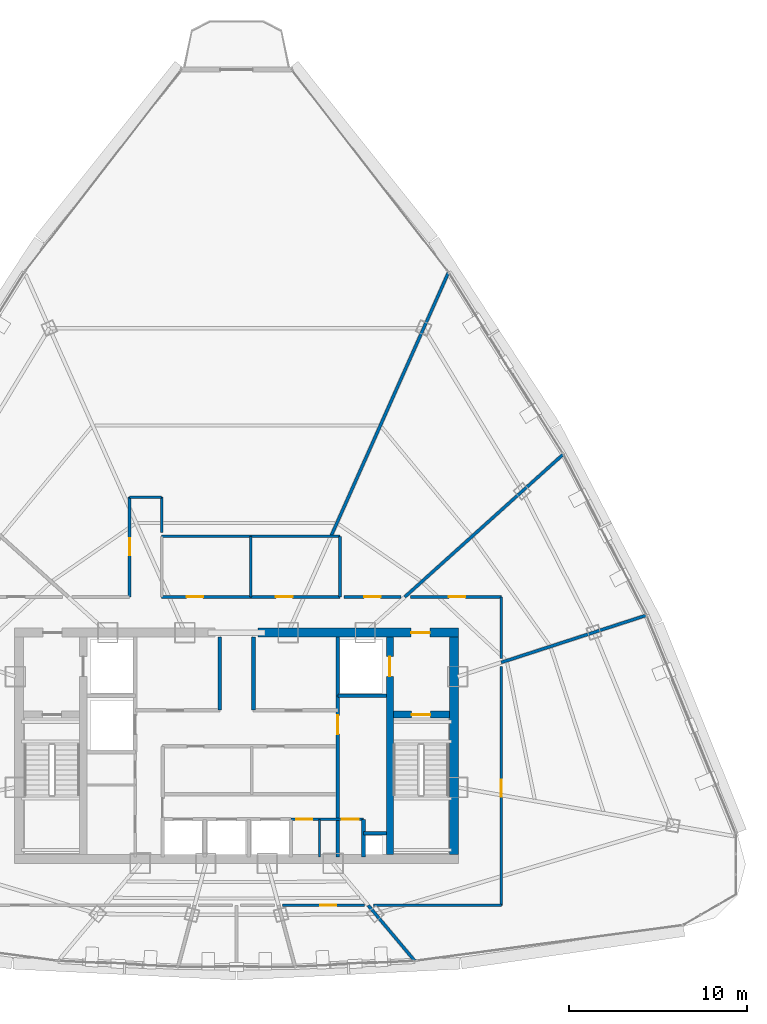
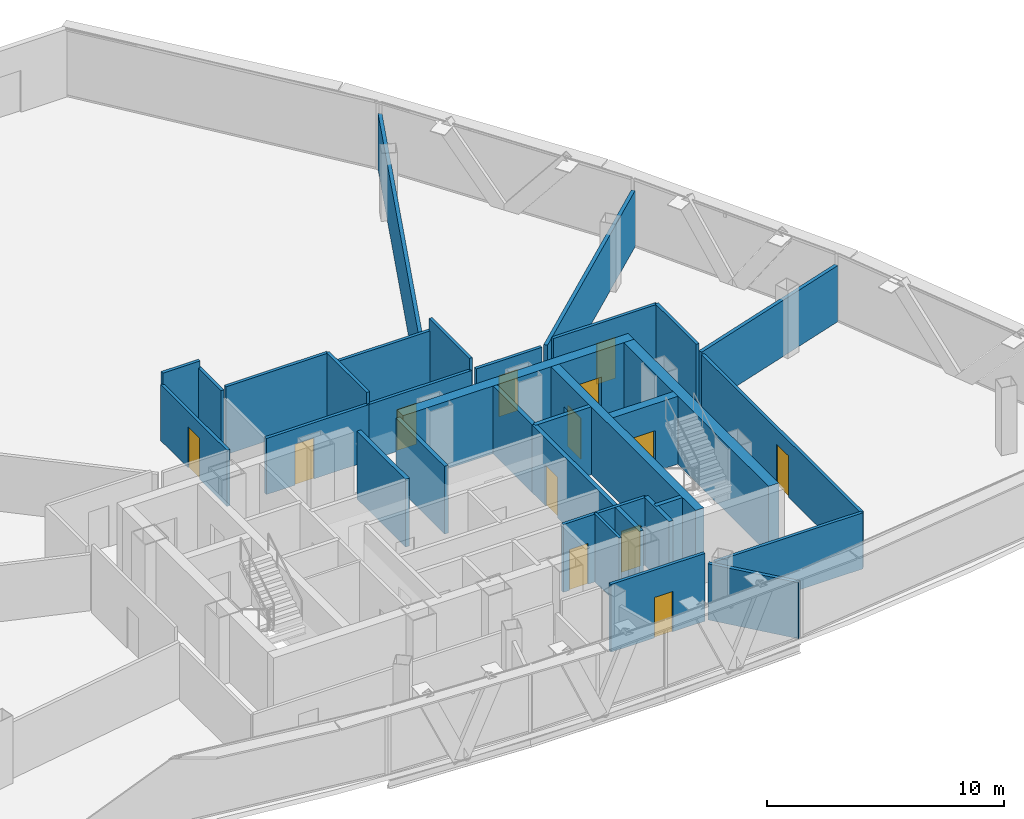
# One storey, part 23 of 27: 32 walls, 13 doors, 13 openings.
"""IFC4 building model written with IfcOpenShell, lengths in metres."""

from ifc_helpers import new_model, si_unit, direction, frame, frame_2d, origin, origin_with_axes, place, context, subcontext, project, spatial, rectangle, extrude, source, transform, mapped, material, layer, layer_set, type_object, element, fill, save


model = new_model("IFC4")

# Units and contexts
model_context = context("Model", 3, precision=1e-05, world=origin(), true_north=direction((0.0, 1.0)))
body_context = subcontext(model_context, "Body", "Model", "MODEL_VIEW")
ifc_project = project(units=[si_unit("LENGTHUNIT", "METRE"), si_unit("AREAUNIT", "SQUARE_METRE"), si_unit("VOLUMEUNIT", "CUBIC_METRE"), si_unit("PLANEANGLEUNIT", "RADIAN"), si_unit("MASSUNIT", "GRAM", prefix="KILO"), si_unit("THERMODYNAMICTEMPERATUREUNIT", "KELVIN"), si_unit("POWERUNIT", "WATT")], contexts=[model_context])

# Site, building, storey
site_placement = place(None, origin())
site = spatial("IfcSite", under=ifc_project, at=site_placement, CompositionType="ELEMENT")
building_placement = place(site_placement, origin())
building = spatial("IfcBuilding", under=site, at=building_placement, Name="Yunzhuo Pagoda Commons", CompositionType="ELEMENT")
storey_placement = place(building_placement, frame((0.0, 0.0, 344.260009765625)))
storey = spatial("IfcBuildingStorey", under=building, at=storey_placement, Name="L86", CompositionType="ELEMENT", Elevation=344.260009765625)

# Wall, opening, door
ifc_material_1 = material(Name="Concrete C50", Category="concrete")
ifc_layer_1 = layer(ifc_material_1, 0.5)
ifc_layer_set_1 = layer_set([ifc_layer_1], Name="Concrete C50")
wall_type_1 = type_object("IfcWallType", Name="W-C03 Upper Core Shear Wall 500", PredefinedType="SHEAR", material=ifc_layer_set_1)
wall_1_placement = place(storey_placement, frame((49.199951171875, 40.199951171875, 0.0), z_axis=(0.0, 0.0, 1.0), x_axis=(1.0, 0.0, 0.0)))
wall_1 = element("IfcWall", 1, at=wall_1_placement, inside=storey, type_object=wall_type_1, Name="L86 core shear wall NE", PredefinedType="SHEAR", context=body_context, shape_type="SweptSolid", body=[
    extrude(rectangle(XDim=11.25, YDim=0.5, at=frame_2d((5.625, 0.0))), origin(), (0.0, 0.0, 1.0), 3.489990234375),
])
opening_1_placement = place(wall_1_placement, frame((8.60009765625, 0.0, 0.0)))
opening_1 = element("IfcOpeningElement", 2, at=opening_1_placement, cuts=wall_1, Name="Opening D-02", PredefinedType="OPENING", context=body_context, shape_type="SweptSolid", body=[
    extrude(rectangle(XDim=1.050048828125, YDim=2.10009765625, at=frame_2d((0.52490234375, 1.050048828125))), frame((0.0, 0.260009765625, 0.0), z_axis=(0.0, -1.0, 0.0), x_axis=(1.0, 0.0, 0.0)), (0.0, 0.0, 1.0), 0.52001953125),
])
ifc_material_2 = material(Name="Galvanized fire-resisting metal leaf")
door_type_1 = type_object("IfcDoorType", Name="D-02 Firefighting Lobby & Refuge Fire Door 1050x2100", OperationType="NOTDEFINED", PredefinedType="DOOR", material=ifc_material_2)
shared_shape_1 = source(origin(), body_context, "Body", "SweptSolid", [
    extrude(rectangle(XDim=1.050048828125, YDim=2.10009765625, at=frame_2d((0.52490234375, 1.050048828125))), frame((0.0, 0.02490234375, 0.0), z_axis=(0.0, -1.0, 0.0), x_axis=(1.0, 0.0, 0.0)), (0.0, 0.0, 1.0), 0.050048828125),
])
door_1_placement = place(opening_1_placement, frame((1.050048828125, 0.0, 0.0), z_axis=(0.0, 0.0, 1.0), x_axis=(-1.0, 0.0, 0.0)))
door_1 = element("IfcDoor", 3, at=door_1_placement, inside=storey, type_object=door_type_1, Name="L86 Firefighting Lobby 2 fire door", OperationType="SINGLE_SWING_RIGHT", OverallHeight=2.10009765625, OverallWidth=1.050048828125, PredefinedType="DOOR", context=body_context, shape_type="MappedRepresentation", body=[
    mapped(shared_shape_1, transform((0.0, 0.0, 0.0), scale=1.0)),
])
fill(opening_1, door_1)

# Wall
wall_2_placement = place(storey_placement, frame((60.199951171875, 27.75, 0.0), z_axis=(0.0, 0.0, 1.0), x_axis=(0.0, 1.0, 0.0)))
element("IfcWall", 4, at=wall_2_placement, inside=storey, type_object=wall_type_1, Name="L86 core shear wall E", PredefinedType="SHEAR", context=body_context, shape_type="SweptSolid", body=[
    extrude(rectangle(XDim=12.199951171875, YDim=0.5, at=frame_2d((6.10009765625, 0.0))), origin(), (0.0, 0.0, 1.0), 3.489990234375),
])

# Wall, openings, doors
ifc_material_3 = material(Name="Gypsum plasterboard on acoustic stud")
ifc_layer_2 = layer(ifc_material_3, 0.14990234375)
ifc_layer_set_2 = layer_set([ifc_layer_2], Name="Gypsum plasterboard on acoustic stud")
wall_type_2 = type_object("IfcWallType", Name="W-COR3 High-Zone Rated Corridor Wall 150", PredefinedType="PARTITIONING", material=ifc_layer_set_2)
wall_3_placement = place(storey_placement, frame((51.050048828125, 29.719970703125, 0.0), z_axis=(0.0, 0.0, 1.0), x_axis=(1.0, 0.0, 0.0)))
wall_3 = element("IfcWall", 5, at=wall_3_placement, inside=storey, type_object=wall_type_2, Name="L86 interior wall IW-L86-CSES", PredefinedType="PARTITIONING", context=body_context, shape_type="SweptSolid", body=[
    extrude(rectangle(XDim=4.070068359375, YDim=0.14990234375, at=frame_2d((2.03515625, 0.0))), origin(), (0.0, 0.0, 1.0), 3.489990234375),
])
opening_2_placement = place(wall_3_placement, frame((0.300048828125, 0.0, 0.0)))
opening_2 = element("IfcOpeningElement", 6, at=opening_2_placement, cuts=wall_3, Name="Opening D-03", PredefinedType="OPENING", context=body_context, shape_type="SweptSolid", body=[
    extrude(rectangle(XDim=0.89990234375, YDim=2.10009765625, at=frame_2d((0.449951171875, 1.050048828125))), frame((0.0, 0.0849609375, 0.0), z_axis=(0.0, -1.0, 0.0), x_axis=(1.0, 0.0, 0.0)), (0.0, 0.0, 1.0), 0.169921875),
])
opening_3_placement = place(wall_3_placement, frame((2.860107421875, 0.0, 0.0)))
opening_3 = element("IfcOpeningElement", 7, at=opening_3_placement, cuts=wall_3, Name="Opening D-11", PredefinedType="OPENING", context=body_context, shape_type="SweptSolid", body=[
    extrude(rectangle(XDim=0.93994140625, YDim=2.10009765625, at=frame_2d((0.469970703125, 1.050048828125))), frame((0.0, 0.0849609375, 0.0), z_axis=(0.0, -1.0, 0.0), x_axis=(1.0, 0.0, 0.0)), (0.0, 0.0, 1.0), 0.169921875),
])
door_type_2 = type_object("IfcDoorType", Name="D-03 Core Service Fire Door 900x2100", OperationType="NOTDEFINED", PredefinedType="DOOR", material=ifc_material_2)
shared_shape_2 = source(origin(), body_context, "Body", "SweptSolid", [
    extrude(rectangle(XDim=0.89990234375, YDim=2.10009765625, at=frame_2d((0.449951171875, 1.050048828125))), frame((0.0, 0.02490234375, 0.0), z_axis=(0.0, -1.0, 0.0), x_axis=(1.0, 0.0, 0.0)), (0.0, 0.0, 1.0), 0.050048828125),
])
door_2_placement = place(opening_2_placement, origin_with_axes())
door_2 = element("IfcDoor", 8, at=door_2_placement, inside=storey, type_object=door_type_2, Name="L86 cleaner door", OperationType="SINGLE_SWING_LEFT", OverallHeight=2.10009765625, OverallWidth=0.89990234375, PredefinedType="DOOR", context=body_context, shape_type="MappedRepresentation", body=[
    mapped(shared_shape_2, transform((0.0, 0.0, 0.0), scale=1.0)),
])
fill(opening_2, door_2)
door_type_3 = type_object("IfcDoorType", Name="D-11 Accessible Washroom Fire Door 940x2100", OperationType="NOTDEFINED", PredefinedType="DOOR", material=ifc_material_2)
shared_shape_3 = source(origin(), body_context, "Body", "SweptSolid", [
    extrude(rectangle(XDim=0.93994140625, YDim=2.10009765625, at=frame_2d((0.469970703125, 1.050048828125))), frame((0.0, 0.02490234375, 0.0), z_axis=(0.0, -1.0, 0.0), x_axis=(1.0, 0.0, 0.0)), (0.0, 0.0, 1.0), 0.050048828125),
])
door_3_placement = place(opening_3_placement, origin_with_axes())
door_3 = element("IfcDoor", 9, at=door_3_placement, inside=storey, type_object=door_type_3, Name="L86 core WC door", OperationType="SINGLE_SWING_RIGHT", OverallHeight=2.10009765625, OverallWidth=0.93994140625, PredefinedType="DOOR", context=body_context, shape_type="MappedRepresentation", body=[
    mapped(shared_shape_3, transform((0.0, 0.0, 0.0), scale=1.0)),
])
fill(opening_3, door_3)

# Wall, opening, door
wall_4_placement = place(storey_placement, frame((43.800048828125, 42.199951171875, 0.0), z_axis=(0.0, 0.0, 1.0), x_axis=(1.0, 0.0, 0.0)))
wall_4 = element("IfcWall", 10, at=wall_4_placement, inside=storey, type_object=wall_type_2, Name="L86 interior wall IW-L86-TFWS", PredefinedType="PARTITIONING", context=body_context, shape_type="SweptSolid", body=[
    extrude(rectangle(XDim=5.0, YDim=0.14990234375, at=frame_2d((2.5, 0.0))), origin(), (0.0, 0.0, 1.0), 2.889892578125),
])
opening_4_placement = place(wall_4_placement, frame((1.39990234375, 0.0, 0.0)))
opening_4 = element("IfcOpeningElement", 11, at=opening_4_placement, cuts=wall_4, Name="Opening D-04", PredefinedType="OPENING", context=body_context, shape_type="SweptSolid", body=[
    extrude(rectangle(XDim=0.919921875, YDim=2.10009765625, at=frame_2d((0.4599609375, 1.050048828125))), frame((0.0, 0.0849609375, 0.0), z_axis=(0.0, -1.0, 0.0), x_axis=(1.0, 0.0, 0.0)), (0.0, 0.0, 1.0), 0.169921875),
])
ifc_material_4 = material(Name="Powder-coated aluminium and timber acoustic leaf", Category="wood")
door_type_4 = type_object("IfcDoorType", Name="D-04 Bedroom & Study Interior Door 920x2100", OperationType="NOTDEFINED", PredefinedType="DOOR", material=ifc_material_4)
shared_shape_4 = source(origin(), body_context, "Body", "SweptSolid", [
    extrude(rectangle(XDim=0.919921875, YDim=2.10009765625, at=frame_2d((0.4599609375, 1.050048828125))), frame((0.0, 0.02490234375, 0.0), z_axis=(0.0, -1.0, 0.0), x_axis=(1.0, 0.0, 0.0)), (0.0, 0.0, 1.0), 0.050048828125),
])
door_4_placement = place(opening_4_placement, frame((0.919921875, 0.0, 0.0), z_axis=(0.0, 0.0, 1.0), x_axis=(-1.0, 0.0, 0.0)))
door_4 = element("IfcDoor", 12, at=door_4_placement, inside=storey, type_object=door_type_4, Name="L86 laundry door", OperationType="SINGLE_SWING_LEFT", OverallHeight=2.10009765625, OverallWidth=0.919921875, PredefinedType="DOOR", context=body_context, shape_type="MappedRepresentation", body=[
    mapped(shared_shape_4, transform((0.0, 0.0, 0.0), scale=1.0)),
])
fill(opening_4, door_4)

# Wall
wall_5_placement = place(storey_placement, frame((43.800048828125, 45.60009765625, 0.0), z_axis=(0.0, 0.0, 1.0), x_axis=(1.0, 0.0, 0.0)))
element("IfcWall", 13, at=wall_5_placement, inside=storey, type_object=wall_type_2, Name="L86 interior wall IW-L86-TFWN", PredefinedType="PARTITIONING", context=body_context, shape_type="SweptSolid", body=[
    extrude(rectangle(XDim=5.0, YDim=0.14990234375, at=frame_2d((2.5, 0.0))), origin(), (0.0, 0.0, 1.0), 3.489990234375),
])

# Wall, opening, door
wall_6_placement = place(storey_placement, frame((48.800048828125, 42.199951171875, 0.0), z_axis=(0.0, 0.0, 1.0), x_axis=(1.0, 0.0, 0.0)))
wall_6 = element("IfcWall", 14, at=wall_6_placement, inside=storey, type_object=wall_type_2, Name="L86 interior wall IW-L86-TFES", PredefinedType="PARTITIONING", context=body_context, shape_type="SweptSolid", body=[
    extrude(rectangle(XDim=5.0, YDim=0.14990234375, at=frame_2d((2.5, 0.0))), origin(), (0.0, 0.0, 1.0), 2.889892578125),
])
opening_5_placement = place(wall_6_placement, frame((1.39990234375, 0.0, 0.0)))
opening_5 = element("IfcOpeningElement", 15, at=opening_5_placement, cuts=wall_6, Name="Opening D-11", PredefinedType="OPENING", context=body_context, shape_type="SweptSolid", body=[
    extrude(rectangle(XDim=0.93994140625, YDim=2.10009765625, at=frame_2d((0.469970703125, 1.050048828125))), frame((0.0, 0.0849609375, 0.0), z_axis=(0.0, -1.0, 0.0), x_axis=(1.0, 0.0, 0.0)), (0.0, 0.0, 1.0), 0.169921875),
])
door_5_placement = place(opening_5_placement, frame((0.93994140625, 0.0, 0.0), z_axis=(0.0, 0.0, 1.0), x_axis=(-1.0, 0.0, 0.0)))
door_5 = element("IfcDoor", 16, at=door_5_placement, inside=storey, type_object=door_type_3, Name="L86 accessible WC door", OperationType="SINGLE_SWING_RIGHT", OverallHeight=2.10009765625, OverallWidth=0.93994140625, PredefinedType="DOOR", context=body_context, shape_type="MappedRepresentation", body=[
    mapped(shared_shape_3, transform((0.0, 0.0, 0.0), scale=1.0)),
])
fill(opening_5, door_5)

# Walls
wall_7_placement = place(storey_placement, frame((48.800048828125, 45.60009765625, 0.0), z_axis=(0.0, 0.0, 1.0), x_axis=(1.0, 0.0, 0.0)))
element("IfcWall", 17, at=wall_7_placement, inside=storey, type_object=wall_type_2, Name="L86 interior wall IW-L86-TFEN", PredefinedType="PARTITIONING", context=body_context, shape_type="SweptSolid", body=[
    extrude(rectangle(XDim=5.0, YDim=0.14990234375, at=frame_2d((2.5, 0.0))), origin(), (0.0, 0.0, 1.0), 2.889892578125),
])
for number, where, z_axis, x_axis, name in (
    (18, (48.800048828125, 42.199951171875, 0.0), (0.0, 0.0, 1.0), (0.0, 1.0, 0.0), "L86 interior wall IW-L86-TFEW"),
    (19, (53.800048828125, 42.199951171875, 0.0), (0.0, 0.0, 1.0), (0.0, 1.0, 0.0), "L86 interior wall IW-L86-TFEE"),
):
    element("IfcWall", number, at=place(storey_placement, frame(where, z_axis=z_axis, x_axis=x_axis)), inside=storey, type_object=wall_type_2, Name=name, PredefinedType="PARTITIONING", context=body_context, shape_type="SweptSolid", body=[
        extrude(rectangle(XDim=3.400146484375, YDim=0.14990234375, at=frame_2d((1.7001953125, 0.0))), origin(), (0.0, 0.0, 1.0), 3.489990234375),
    ])

# Wall, opening, door
wall_8_placement = place(storey_placement, frame((42.0, 42.199951171875, 0.0), z_axis=(0.0, 0.0, 1.0), x_axis=(0.0, 1.0, 0.0)))
wall_8 = element("IfcWall", 20, at=wall_8_placement, inside=storey, type_object=wall_type_2, Name="L86 interior wall IW-L86-CWL06", PredefinedType="PARTITIONING", context=body_context, shape_type="SweptSolid", body=[
    extrude(rectangle(XDim=5.60009765625, YDim=0.14990234375, at=frame_2d((2.800048828125, 0.0))), origin(), (0.0, 0.0, 1.0), 2.889892578125),
])
opening_6_placement = place(wall_8_placement, frame((2.324951171875, 0.0, 0.0)))
opening_6 = element("IfcOpeningElement", 21, at=opening_6_placement, cuts=wall_8, Name="Opening D-08", PredefinedType="OPENING", context=body_context, shape_type="SweptSolid", body=[
    extrude(rectangle(XDim=0.97998046875, YDim=2.1201171875, at=frame_2d((0.489990234375, 1.06005859375))), frame((0.0, 0.0849609375, 0.0), z_axis=(0.0, -1.0, 0.0), x_axis=(1.0, 0.0, 0.0)), (0.0, 0.0, 1.0), 0.169921875),
])
door_type_5 = type_object("IfcDoorType", Name="D-08 High-Zone Suite Entrance Fire Door 980x2120", OperationType="NOTDEFINED", PredefinedType="DOOR", material=ifc_material_2)
shared_shape_5 = source(origin(), body_context, "Body", "SweptSolid", [
    extrude(rectangle(XDim=0.97998046875, YDim=2.1201171875, at=frame_2d((0.489990234375, 1.06005859375))), frame((0.0, 0.02490234375, 0.0), z_axis=(0.0, -1.0, 0.0), x_axis=(1.0, 0.0, 0.0)), (0.0, 0.0, 1.0), 0.050048828125),
])
door_6_placement = place(opening_6_placement, origin_with_axes())
door_6 = element("IfcDoor", 22, at=door_6_placement, inside=storey, type_object=door_type_5, Name="L86 Shared Resident Kitchen and Pantry door", OperationType="SINGLE_SWING_RIGHT", OverallHeight=2.1201171875, OverallWidth=0.97998046875, PredefinedType="DOOR", context=body_context, shape_type="MappedRepresentation", body=[
    mapped(shared_shape_5, transform((0.0, 0.0, 0.0), scale=1.0)),
])
fill(opening_6, door_6)

# Walls
wall_9_placement = place(storey_placement, frame((42.0, 47.800048828125, 0.0), z_axis=(0.0, 0.0, 1.0), x_axis=(1.0, 0.0, 0.0)))
element("IfcWall", 23, at=wall_9_placement, inside=storey, type_object=wall_type_2, Name="L86 interior wall IW-L86-CWL07", PredefinedType="PARTITIONING", context=body_context, shape_type="SweptSolid", body=[
    extrude(rectangle(XDim=1.800048828125, YDim=0.14990234375, at=frame_2d((0.89990234375, 0.0))), origin(), (0.0, 0.0, 1.0), 3.489990234375),
])
wall_10_placement = place(storey_placement, frame((43.800048828125, 47.800048828125, 0.0), z_axis=(0.0, 0.0, 1.0), x_axis=(0.0, -1.0, 0.0)))
element("IfcWall", 24, at=wall_10_placement, inside=storey, type_object=wall_type_2, Name="L86 interior wall IW-L86-CWL08", PredefinedType="PARTITIONING", context=body_context, shape_type="SweptSolid", body=[
    extrude(rectangle(XDim=1.97998046875, YDim=0.14990234375, at=frame_2d((0.989990234375, 0.0))), origin(), (0.0, 0.0, 1.0), 3.139892578125),
])

# Wall, opening, door
wall_11_placement = place(storey_placement, frame((54.02001953125, 42.199951171875, 0.0), z_axis=(0.0, 0.0, 1.0), x_axis=(1.0, 0.0, 0.0)))
wall_11 = element("IfcWall", 25, at=wall_11_placement, inside=storey, type_object=wall_type_2, Name="L86 interior wall IW-L86-CWL09", PredefinedType="PARTITIONING", context=body_context, shape_type="SweptSolid", body=[
    extrude(rectangle(XDim=3.200439453125, YDim=0.14990234375, at=frame_2d((1.60009765625, 0.0))), origin(), (0.0, 0.0, 1.0), 2.889892578125),
])
opening_7_placement = place(wall_11_placement, frame((1.14013671875, 0.0, 0.0)))
opening_7 = element("IfcOpeningElement", 26, at=opening_7_placement, cuts=wall_11, Name="Opening D-04", PredefinedType="OPENING", context=body_context, shape_type="SweptSolid", body=[
    extrude(rectangle(XDim=0.919921875, YDim=2.10009765625, at=frame_2d((0.4599609375, 1.050048828125))), frame((0.0, 0.0849609375, 0.0), z_axis=(0.0, -1.0, 0.0), x_axis=(1.0, 0.0, 0.0)), (0.0, 0.0, 1.0), 0.169921875),
])
door_7_placement = place(opening_7_placement, origin_with_axes())
door_7 = element("IfcDoor", 27, at=door_7_placement, inside=storey, type_object=door_type_4, Name="L86 seminar room 02 door", OperationType="SINGLE_SWING_LEFT", OverallHeight=2.10009765625, OverallWidth=0.919921875, PredefinedType="DOOR", context=body_context, shape_type="MappedRepresentation", body=[
    mapped(shared_shape_4, transform((0.0, 0.0, 0.0), scale=1.0)),
])
fill(opening_7, door_7)

wall_12_placement = place(storey_placement, frame((57.76904296875, 42.199951171875, 0.0), z_axis=(0.0, 0.0, 1.0), x_axis=(1.0, 0.0, 0.0)))
wall_12 = element("IfcWall", 28, at=wall_12_placement, inside=storey, type_object=wall_type_2, Name="L86 interior wall IW-L86-CWL10", PredefinedType="PARTITIONING", context=body_context, shape_type="SweptSolid", body=[
    extrude(rectangle(XDim=5.0810546875, YDim=0.14990234375, at=frame_2d((2.54052734375, 0.0))), origin(), (0.0, 0.0, 1.0), 3.139892578125),
])
opening_8_placement = place(wall_12_placement, frame((2.14599609375, 0.0, 0.0)))
opening_8 = element("IfcOpeningElement", 29, at=opening_8_placement, cuts=wall_12, Name="Opening D-04", PredefinedType="OPENING", context=body_context, shape_type="SweptSolid", body=[
    extrude(rectangle(XDim=0.919921875, YDim=2.10009765625, at=frame_2d((0.4599609375, 1.050048828125))), frame((0.0, 0.0849609375, 0.0), z_axis=(0.0, -1.0, 0.0), x_axis=(1.0, 0.0, 0.0)), (0.0, 0.0, 1.0), 0.169921875),
])
door_8_placement = place(opening_8_placement, origin_with_axes())
door_8 = element("IfcDoor", 30, at=door_8_placement, inside=storey, type_object=door_type_4, Name="L86 seminar room 01 door", OperationType="SINGLE_SWING_RIGHT", OverallHeight=2.10009765625, OverallWidth=0.919921875, PredefinedType="DOOR", context=body_context, shape_type="MappedRepresentation", body=[
    mapped(shared_shape_4, transform((0.0, 0.0, 0.0), scale=1.0)),
])
fill(opening_8, door_8)

# Wall
wall_13_placement = place(storey_placement, frame((62.85009765625, 42.199951171875, 0.0), z_axis=(0.0, 0.0, 1.0), x_axis=(0.0, -1.0, 0.0)))
element("IfcWall", 31, at=wall_13_placement, inside=storey, type_object=wall_type_2, Name="L86 interior wall IW-L86-CWL11", PredefinedType="PARTITIONING", context=body_context, shape_type="SweptSolid", body=[
    extrude(rectangle(XDim=3.443603515625, YDim=0.14990234375, at=frame_2d((1.7216796875, 0.0))), origin(), (0.0, 0.0, 1.0), 3.139892578125),
])

# Wall, opening, door
wall_14_placement = place(storey_placement, frame((62.85009765625, 38.305419921875, 0.0), z_axis=(0.0, 0.0, 1.0), x_axis=(0.0, -1.0, 0.0)))
wall_14 = element("IfcWall", 32, at=wall_14_placement, inside=storey, type_object=wall_type_2, Name="L86 interior wall IW-L86-CWL12", PredefinedType="PARTITIONING", context=body_context, shape_type="SweptSolid", body=[
    extrude(rectangle(XDim=13.405517578125, YDim=0.14990234375, at=frame_2d((6.70263671875, 0.0))), origin(), (0.0, 0.0, 1.0), 2.889892578125),
])
opening_9_placement = place(wall_14_placement, frame((6.347900390625, 0.0, 0.0)))
opening_9 = element("IfcOpeningElement", 33, at=opening_9_placement, cuts=wall_14, Name="Opening D-08", PredefinedType="OPENING", context=body_context, shape_type="SweptSolid", body=[
    extrude(rectangle(XDim=0.97998046875, YDim=2.1201171875, at=frame_2d((0.489990234375, 1.06005859375))), frame((0.0, 0.0849609375, 0.0), z_axis=(0.0, -1.0, 0.0), x_axis=(1.0, 0.0, 0.0)), (0.0, 0.0, 1.0), 0.169921875),
])
door_9_placement = place(opening_9_placement, origin_with_axes())
door_9 = element("IfcDoor", 34, at=door_9_placement, inside=storey, type_object=door_type_5, Name="L86 Academic Reading Commons 2 door", OperationType="SINGLE_SWING_LEFT", OverallHeight=2.1201171875, OverallWidth=0.97998046875, PredefinedType="DOOR", context=body_context, shape_type="MappedRepresentation", body=[
    mapped(shared_shape_5, transform((0.0, 0.0, 0.0), scale=1.0)),
])
fill(opening_9, door_9)

# Wall
wall_15_placement = place(storey_placement, frame((62.85009765625, 24.89990234375, 0.0), z_axis=(0.0, 0.0, 1.0), x_axis=(-1.0, 0.0, 0.0)))
element("IfcWall", 35, at=wall_15_placement, inside=storey, type_object=wall_type_2, Name="L86 interior wall IW-L86-CWL13", PredefinedType="PARTITIONING", context=body_context, shape_type="SweptSolid", body=[
    extrude(rectangle(XDim=7.1787109375, YDim=0.14990234375, at=frame_2d((3.58935546875, 0.0))), origin(), (0.0, 0.0, 1.0), 2.889892578125),
])

# Wall, opening, door
wall_16_placement = place(storey_placement, frame((55.164306640625, 24.89990234375, 0.0), z_axis=(0.0, 0.0, 1.0), x_axis=(-1.0, 0.0, 0.0)))
wall_16 = element("IfcWall", 36, at=wall_16_placement, inside=storey, type_object=wall_type_2, Name="L86 interior wall IW-L86-CWL14", PredefinedType="PARTITIONING", context=body_context, shape_type="SweptSolid", body=[
    extrude(rectangle(XDim=4.57861328125, YDim=0.14990234375, at=frame_2d((2.289306640625, 0.0))), origin(), (0.0, 0.0, 1.0), 3.489990234375),
])
opening_10_placement = place(wall_16_placement, frame((1.565185546875, 0.0, 0.0)))
opening_10 = element("IfcOpeningElement", 37, at=opening_10_placement, cuts=wall_16, Name="Opening D-12", PredefinedType="OPENING", context=body_context, shape_type="SweptSolid", body=[
    extrude(rectangle(XDim=0.89990234375, YDim=2.080078125, at=frame_2d((0.449951171875, 1.0400390625))), frame((0.0, 0.0849609375, 0.0), z_axis=(0.0, -1.0, 0.0), x_axis=(1.0, 0.0, 0.0)), (0.0, 0.0, 1.0), 0.169921875),
])
door_type_6 = type_object("IfcDoorType", Name="D-12 Quiet Study Interior Door 900x2080", OperationType="NOTDEFINED", PredefinedType="DOOR", material=ifc_material_4)
shared_shape_6 = source(origin(), body_context, "Body", "SweptSolid", [
    extrude(rectangle(XDim=0.89990234375, YDim=2.080078125, at=frame_2d((0.449951171875, 1.0400390625))), frame((0.0, 0.02490234375, 0.0), z_axis=(0.0, -1.0, 0.0), x_axis=(1.0, 0.0, 0.0)), (0.0, 0.0, 1.0), 0.050048828125),
])
door_10_placement = place(opening_10_placement, origin_with_axes())
door_10 = element("IfcDoor", 38, at=door_10_placement, inside=storey, type_object=door_type_6, Name="L86 study lounge 09 door", OperationType="SINGLE_SWING_RIGHT", OverallHeight=2.080078125, OverallWidth=0.89990234375, PredefinedType="DOOR", context=body_context, shape_type="MappedRepresentation", body=[
    mapped(shared_shape_6, transform((0.0, 0.0, 0.0), scale=1.0)),
])
fill(opening_10, door_10)

# Walls
ifc_layer_3 = layer(ifc_material_3, 0.1201171875)
ifc_layer_set_3 = layer_set([ifc_layer_3], Name="Gypsum plasterboard on acoustic stud")
wall_type_3 = type_object("IfcWallType", Name="W-PRT1 Suite & Bathroom Partition 120", PredefinedType="PARTITIONING", material=ifc_layer_set_3)
wall_17_placement = place(storey_placement, frame((52.64990234375, 27.60009765625, 0.0), z_axis=(0.0, 0.0, 1.0), x_axis=(0.0, 1.0, 0.0)))
element("IfcWall", 39, at=wall_17_placement, inside=storey, type_object=wall_type_3, Name="L86 interior wall IW-L86-CD2", PredefinedType="PARTITIONING", context=body_context, shape_type="SweptSolid", body=[
    extrude(rectangle(XDim=2.119873046875, YDim=0.1201171875, at=frame_2d((1.06005859375, 0.0))), origin(), (0.0, 0.0, 1.0), 3.489990234375),
])
ifc_layer_4 = layer(ifc_material_3, 0.169921875)
ifc_layer_set_4 = layer_set([ifc_layer_4], Name="Gypsum plasterboard on acoustic stud")
wall_type_4 = type_object("IfcWallType", Name="W-PRT4 High-Zone Demising Wall 170", PredefinedType="PARTITIONING", material=ifc_layer_set_4)
wall_18_placement = place(storey_placement, frame((62.85009765625, 38.525146484375, 0.0), z_axis=(0.0, 0.0, 1.0), x_axis=(0.951059599238, 0.309007505891, 0.0)))
element("IfcWall", 40, at=wall_18_placement, inside=storey, type_object=wall_type_4, Name="L86 interior wall IW-L86-RAD01", PredefinedType="PARTITIONING", context=body_context, shape_type="SweptSolid", body=[
    extrude(rectangle(XDim=8.572265625, YDim=0.169921875, at=frame_2d((4.2861328125, 0.0))), origin(), (0.0, 0.0, 1.0), 2.889892578125),
])
wall_19_placement = place(storey_placement, frame((57.440185546875, 42.199951171875, 0.0), z_axis=(0.0, 0.0, 1.0), x_axis=(0.743141978473, 0.669133768264, 0.0)))
element("IfcWall", 41, at=wall_19_placement, inside=storey, type_object=wall_type_4, Name="L86 interior wall IW-L86-RAD02", PredefinedType="PARTITIONING", context=body_context, shape_type="SweptSolid", body=[
    extrude(rectangle(XDim=11.96826171875, YDim=0.169921875, at=frame_2d((5.984130859375, 0.0))), origin(), (0.0, 0.0, 1.0), 2.889892578125),
])
wall_20_placement = place(storey_placement, frame((53.298095703125, 45.60009765625, 0.0), z_axis=(0.0, 0.0, 1.0), x_axis=(0.40675009841, 0.913539466823, 0.0)))
element("IfcWall", 42, at=wall_20_placement, inside=storey, type_object=wall_type_4, Name="L86 interior wall IW-L86-RAD03", PredefinedType="PARTITIONING", context=body_context, shape_type="SweptSolid", body=[
    extrude(rectangle(XDim=16.21923828125, YDim=0.169921875, at=frame_2d((8.109619140625, 0.0))), origin(), (0.0, 0.0, 1.0), 2.889892578125),
])
wall_21_placement = place(storey_placement, frame((55.384033203125, 24.89990234375, 0.0), z_axis=(0.0, 0.0, 1.0), x_axis=(0.642829150269, -0.766009584512, 0.0)))
element("IfcWall", 43, at=wall_21_placement, inside=storey, type_object=wall_type_4, Name="L86 interior wall IW-L86-RAD10", PredefinedType="PARTITIONING", context=body_context, shape_type="SweptSolid", body=[
    extrude(rectangle(XDim=4.071044921875, YDim=0.169921875, at=frame_2d((2.03564453125, 0.0))), origin(), (0.0, 0.0, 1.0), 2.889892578125),
])

# Wall, opening, door
ifc_material_5 = material(Name="Concrete C60", Category="concrete")
ifc_layer_5 = layer(ifc_material_5, 0.39990234375)
ifc_layer_set_5 = layer_set([ifc_layer_5], Name="Concrete C60")
wall_type_5 = type_object("IfcWallType", Name="W-S01 Internal Core Shear Web 400", PredefinedType="SHEAR", material=ifc_layer_set_5)
wall_22_placement = place(storey_placement, frame((56.60009765625, 27.75, 0.0), z_axis=(0.0, 0.0, 1.0), x_axis=(0.0, 1.0, 0.0)))
wall_22 = element("IfcWall", 44, at=wall_22_placement, inside=storey, type_object=wall_type_5, Name="L86 core shear wall WEBE", PredefinedType="SHEAR", context=body_context, shape_type="SweptSolid", body=[
    extrude(rectangle(XDim=12.199951171875, YDim=0.39990234375, at=frame_2d((6.10009765625, 0.0))), origin(), (0.0, 0.0, 1.0), 3.489990234375),
])
opening_11_placement = place(wall_22_placement, frame((10.0, 0.0, 0.0)))
opening_11 = element("IfcOpeningElement", 45, at=opening_11_placement, cuts=wall_22, Name="Opening LD-01", PredefinedType="OPENING", context=body_context, shape_type="SweptSolid", body=[
    extrude(rectangle(XDim=1.10009765625, YDim=2.10009765625, at=frame_2d((0.550048828125, 1.050048828125))), frame((0.0, 0.2099609375, 0.0), z_axis=(0.0, -1.0, 0.0), x_axis=(1.0, 0.0, 0.0)), (0.0, 0.0, 1.0), 0.419921875),
])
door_type_7 = type_object("IfcDoorType", Name="LD-01 Firefighting Lift Landing Door 1100x2100", OperationType="DOUBLE_DOOR_SLIDING", PredefinedType="DOOR", material=ifc_material_2)
shared_shape_7 = source(origin(), body_context, "Body", "SweptSolid", [
    extrude(rectangle(XDim=1.10009765625, YDim=2.10009765625, at=frame_2d((0.550048828125, 1.050048828125))), frame((0.0, 0.02490234375, 0.0), z_axis=(0.0, -1.0, 0.0), x_axis=(1.0, 0.0, 0.0)), (0.0, 0.0, 1.0), 0.050048828125),
])
door_11_placement = place(opening_11_placement, origin_with_axes())
door_11 = element("IfcDoor", 46, at=door_11_placement, inside=storey, type_object=door_type_7, Name="L86 Firefighting lift FL-2 landing door", OperationType="DOUBLE_DOOR_SLIDING", OverallHeight=2.10009765625, OverallWidth=1.10009765625, PredefinedType="DOOR", context=body_context, shape_type="MappedRepresentation", body=[
    mapped(shared_shape_7, transform((0.0, 0.0, 0.0), scale=1.0)),
])
fill(opening_11, door_11)

wall_23_placement = place(storey_placement, frame((56.800048828125, 35.60009765625, 0.0), z_axis=(0.0, 0.0, 1.0), x_axis=(1.0, 0.0, 0.0)))
wall_23 = element("IfcWall", 47, at=wall_23_placement, inside=storey, type_object=wall_type_5, Name="L86 core shear wall STE", PredefinedType="SHEAR", context=body_context, shape_type="SweptSolid", body=[
    extrude(rectangle(XDim=3.14990234375, YDim=0.39990234375, at=frame_2d((1.574951171875, 0.0))), origin(), (0.0, 0.0, 1.0), 3.489990234375),
])
opening_12_placement = place(wall_23_placement, frame((1.02001953125, 0.0, 0.0)))
opening_12 = element("IfcOpeningElement", 48, at=opening_12_placement, cuts=wall_23, Name="Opening D-01", PredefinedType="OPENING", context=body_context, shape_type="SweptSolid", body=[
    extrude(rectangle(XDim=1.050048828125, YDim=2.10009765625, at=frame_2d((0.52490234375, 1.050048828125))), frame((0.0, 0.2099609375, 0.0), z_axis=(0.0, -1.0, 0.0), x_axis=(1.0, 0.0, 0.0)), (0.0, 0.0, 1.0), 0.419921875),
])
door_type_8 = type_object("IfcDoorType", Name="D-01 Smokeproof Stair Fire Door 1050x2100", OperationType="NOTDEFINED", PredefinedType="DOOR", material=ifc_material_2)
door_12_placement = place(opening_12_placement, frame((1.050048828125, 0.0, 0.0), z_axis=(0.0, 0.0, 1.0), x_axis=(-1.0, 0.0, 0.0)))
door_12 = element("IfcDoor", 49, at=door_12_placement, inside=storey, type_object=door_type_8, Name="L86 Stair ST2 fire door", OperationType="SINGLE_SWING_RIGHT", OverallHeight=2.10009765625, OverallWidth=1.050048828125, PredefinedType="DOOR", context=body_context, shape_type="MappedRepresentation", body=[
    mapped(shared_shape_1, transform((0.0, 0.0, 0.0), scale=1.0)),
])
fill(opening_12, door_12)

# Walls
ifc_material_6 = material(Name="Concrete C40", Category="concrete")
ifc_layer_6 = layer(ifc_material_6, 0.199951171875)
ifc_layer_set_6 = layer_set([ifc_layer_6], Name="Concrete C40")
wall_type_6 = type_object("IfcWallType", Name="W-SHF Shaft & Stair Enclosure Wall 200", PredefinedType="SOLIDWALL", material=ifc_layer_set_6)
wall_24_placement = place(storey_placement, frame((53.679931640625, 36.64990234375, 0.0), z_axis=(0.0, 0.0, 1.0), x_axis=(0.0, 1.0, 0.0)))
element("IfcWall", 50, at=wall_24_placement, inside=storey, type_object=wall_type_6, Name="L86 interior wall IW-L86-FL2W", PredefinedType="SOLIDWALL", context=body_context, shape_type="SweptSolid", body=[
    extrude(rectangle(XDim=3.300048828125, YDim=0.199951171875, at=frame_2d((1.64990234375, 0.0))), origin(), (0.0, 0.0, 1.0), 3.489990234375),
])
wall_25_placement = place(storey_placement, frame((53.679931640625, 36.64990234375, 0.0), z_axis=(0.0, 0.0, 1.0), x_axis=(1.0, 0.0, 0.0)))
element("IfcWall", 51, at=wall_25_placement, inside=storey, type_object=wall_type_6, Name="L86 interior wall IW-L86-FL2S", PredefinedType="SOLIDWALL", context=body_context, shape_type="SweptSolid", body=[
    extrude(rectangle(XDim=2.719970703125, YDim=0.199951171875, at=frame_2d((1.35986328125, 0.0))), origin(), (0.0, 0.0, 1.0), 3.489990234375),
])
for number, where, z_axis, x_axis, name in (
    (52, (47.050048828125, 35.85009765625, 0.0), (0.0, 0.0, 1.0), (0.0, 1.0, 0.0), "L86 interior wall IW-L86-THRW"),
    (53, (48.949951171875, 35.85009765625, 0.0), (0.0, 0.0, 1.0), (0.0, 1.0, 0.0), "L86 interior wall IW-L86-THRE"),
):
    element("IfcWall", number, at=place(storey_placement, frame(where, z_axis=z_axis, x_axis=x_axis)), inside=storey, type_object=wall_type_6, Name=name, PredefinedType="SOLIDWALL", context=body_context, shape_type="SweptSolid", body=[
        extrude(rectangle(XDim=4.099853515625, YDim=0.199951171875, at=frame_2d((2.0498046875, 0.0))), origin(), (0.0, 0.0, 1.0), 3.489990234375),
    ])

# Wall, opening, door
wall_26_placement = place(storey_placement, frame((53.679931640625, 27.60009765625, 0.0), z_axis=(0.0, 0.0, 1.0), x_axis=(0.0, 1.0, 0.0)))
wall_26 = element("IfcWall", 54, at=wall_26_placement, inside=storey, type_object=wall_type_6, Name="L86 interior wall IW-L86-PLME", PredefinedType="SOLIDWALL", context=body_context, shape_type="SweptSolid", body=[
    extrude(rectangle(XDim=9.0498046875, YDim=0.199951171875, at=frame_2d((4.52490234375, 0.0))), origin(), (0.0, 0.0, 1.0), 3.489990234375),
])
opening_13_placement = place(wall_26_placement, frame((6.89990234375, 0.0, 0.0)))
opening_13 = element("IfcOpeningElement", 55, at=opening_13_placement, cuts=wall_26, Name="Opening D-02", PredefinedType="OPENING", context=body_context, shape_type="SweptSolid", body=[
    extrude(rectangle(XDim=1.050048828125, YDim=2.10009765625, at=frame_2d((0.52490234375, 1.050048828125))), frame((0.0, 0.10986328125, 0.0), z_axis=(0.0, -1.0, 0.0), x_axis=(1.0, 0.0, 0.0)), (0.0, 0.0, 1.0), 0.219970703125),
])
door_13_placement = place(opening_13_placement, origin_with_axes())
door_13 = element("IfcDoor", 56, at=door_13_placement, inside=storey, type_object=door_type_1, Name="L86 High-bank lift hall door", OperationType="SINGLE_SWING_RIGHT", OverallHeight=2.10009765625, OverallWidth=1.050048828125, PredefinedType="DOOR", context=body_context, shape_type="MappedRepresentation", body=[
    mapped(shared_shape_1, transform((0.0, 0.0, 0.0), scale=1.0)),
])
fill(opening_13, door_13)

# Walls
wall_27_placement = place(storey_placement, frame((55.1201171875, 27.60009765625, 0.0), z_axis=(0.0, 0.0, 1.0), x_axis=(0.0, 1.0, 0.0)))
element("IfcWall", 57, at=wall_27_placement, inside=storey, type_object=wall_type_6, Name="L86 interior wall IW-L86-RSHFW", PredefinedType="SOLIDWALL", context=body_context, shape_type="SweptSolid", body=[
    extrude(rectangle(XDim=2.119873046875, YDim=0.199951171875, at=frame_2d((1.06005859375, 0.0))), origin(), (0.0, 0.0, 1.0), 3.489990234375),
])
wall_28_placement = place(storey_placement, frame((55.1201171875, 28.949951171875, 0.0), z_axis=(0.0, 0.0, 1.0), x_axis=(1.0, 0.0, 0.0)))
element("IfcWall", 58, at=wall_28_placement, inside=storey, type_object=wall_type_6, Name="L86 interior wall IW-L86-RSHFN", PredefinedType="SOLIDWALL", context=body_context, shape_type="SweptSolid", body=[
    extrude(rectangle(XDim=1.27978515625, YDim=0.199951171875, at=frame_2d((0.639892578125, 0.0))), origin(), (0.0, 0.0, 1.0), 3.489990234375),
])

save(model, "model.ifc")
